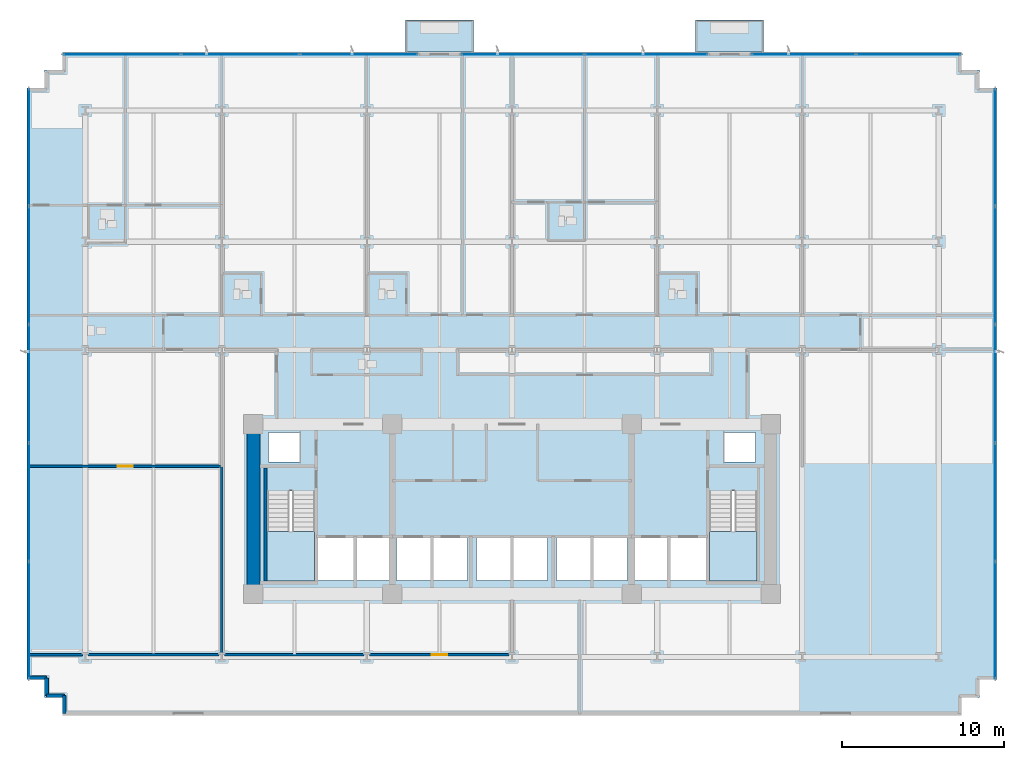
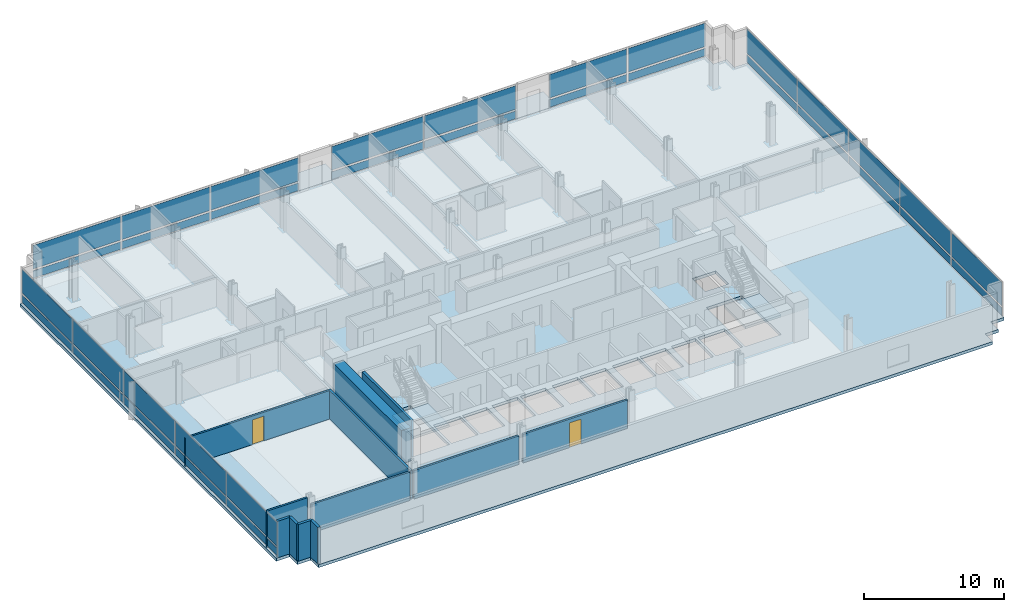
# One storey, part 7 of 16: 34 plates, 12 walls, 5 slabs, 2 doors, 2 openings, 7 elements without a shape of their own.
"""IFC4 building model written with IfcOpenShell, lengths in metres."""

from ifc_helpers import new_model, si_unit, direction, frame, frame_2d, origin, origin_2d, place, context, subcontext, project, spatial, polyline, rectangle, outline, extrude, material, layer, layer_set, type_object, element, fill, aggregate, save


model = new_model("IFC4")

# Units and contexts
model_context = context("Model", 3, precision=1e-05, world=origin(), true_north=direction((0.0, 1.0)))
body_context = subcontext(model_context, "Body", "Model", "MODEL_VIEW")
ifc_project = project(units=[si_unit("LENGTHUNIT", "METRE"), si_unit("AREAUNIT", "SQUARE_METRE"), si_unit("VOLUMEUNIT", "CUBIC_METRE"), si_unit("PLANEANGLEUNIT", "RADIAN"), si_unit("MASSUNIT", "GRAM", prefix="KILO")], contexts=[model_context])

# Site, building, storey
site_placement = place(None, origin())
site = spatial("IfcSite", under=ifc_project, at=site_placement, CompositionType="ELEMENT")
building_placement = place(site_placement, origin())
building = spatial("IfcBuilding", under=site, at=building_placement, Name="Solmavex Isthmus Hotel", CompositionType="ELEMENT")
storey_placement = place(building_placement, frame((0.0, 0.0, 29.85009765625)))
storey = spatial("IfcBuildingStorey", under=building, at=storey_placement, Name="L07", CompositionType="ELEMENT", Elevation=29.85009765625)

# Curtain wall, plates
ifc_material_1 = material(Name="Aluminium alloy 6063-T6", Category="aluminium")
curtain_wall_type = type_object("IfcCurtainWallType", Name="CW-SYS-02", PredefinedType="NOTDEFINED", material=ifc_material_1)
curtain_wall_1_placement = place(storey_placement, origin())
curtain_wall_1 = element("IfcCurtainWall", 1, at=curtain_wall_1_placement, inside=storey, type_object=curtain_wall_type, Name="Stick Curtain Wall CWL-L07-N1", PredefinedType="NOTDEFINED")
ifc_material_2 = material(Name="Clear low-E laminated glass", Category="glass")
ifc_layer_1 = layer(ifc_material_2, 0.031982421875)
ifc_layer_set_1 = layer_set([ifc_layer_1], Name="Clear low-E laminated glass")
plate_type = type_object("IfcPlateType", Name="CW-SYS-02-PNL", PredefinedType="CURTAIN_PANEL", material=ifc_layer_set_1)
plate_1_placement = place(storey_placement, frame((-24.112548828125, 20.3798828125, 0.16015625), z_axis=(0.0, 0.0, 1.0), x_axis=(1.0, 0.0, 0.0)))
plate_1 = element("IfcPlate", 2, at=plate_1_placement, type_object=plate_type, Name="CW-02 panel 1.1", PredefinedType="CURTAIN_PANEL", context=body_context, shape_type="SweptSolid", body=[
    extrude(rectangle(XDim=7.224853515625, YDim=0.031982421875, at=origin_2d()), origin(), (0.0, 0.0, 1.0), 0.659912109375),
])
plate_2_placement = place(storey_placement, frame((-24.112548828125, 20.3798828125, 0.97998046875), z_axis=(0.0, 0.0, 1.0), x_axis=(1.0, 0.0, 0.0)))
plate_2 = element("IfcPlate", 3, at=plate_2_placement, type_object=plate_type, Name="CW-02 panel 1.2", PredefinedType="CURTAIN_PANEL", context=body_context, shape_type="SweptSolid", body=[
    extrude(rectangle(XDim=7.224853515625, YDim=0.031982421875, at=origin_2d()), origin(), (0.0, 0.0, 1.0), 2.050048828125),
])
plate_3_placement = place(storey_placement, frame((-16.7939453125, 20.3798828125, 0.16015625), z_axis=(0.0, 0.0, 1.0), x_axis=(1.0, 0.0, 0.0)))
plate_3 = element("IfcPlate", 4, at=plate_3_placement, type_object=plate_type, Name="CW-02 panel 2.1", PredefinedType="CURTAIN_PANEL", context=body_context, shape_type="SweptSolid", body=[
    extrude(rectangle(XDim=7.262451171875, YDim=0.031982421875, at=origin_2d()), origin(), (0.0, 0.0, 1.0), 0.659912109375),
])
plate_4_placement = place(storey_placement, frame((-16.7939453125, 20.3798828125, 0.97998046875), z_axis=(0.0, 0.0, 1.0), x_axis=(1.0, 0.0, 0.0)))
plate_4 = element("IfcPlate", 5, at=plate_4_placement, type_object=plate_type, Name="CW-02 panel 2.2", PredefinedType="CURTAIN_PANEL", context=body_context, shape_type="SweptSolid", body=[
    extrude(rectangle(XDim=7.262451171875, YDim=0.031982421875, at=origin_2d()), origin(), (0.0, 0.0, 1.0), 2.050048828125),
])
plate_5_placement = place(storey_placement, frame((-9.475341796875, 20.3798828125, 0.16015625), z_axis=(0.0, 0.0, 1.0), x_axis=(1.0, 0.0, 0.0)))
plate_5 = element("IfcPlate", 6, at=plate_5_placement, type_object=plate_type, Name="CW-02 panel 3.1", PredefinedType="CURTAIN_PANEL", context=body_context, shape_type="SweptSolid", body=[
    extrude(rectangle(XDim=7.224853515625, YDim=0.031982421875, at=origin_2d()), origin(), (0.0, 0.0, 1.0), 0.659912109375),
])
plate_6_placement = place(storey_placement, frame((-9.475341796875, 20.3798828125, 0.97998046875), z_axis=(0.0, 0.0, 1.0), x_axis=(1.0, 0.0, 0.0)))
plate_6 = element("IfcPlate", 7, at=plate_6_placement, type_object=plate_type, Name="CW-02 panel 3.2", PredefinedType="CURTAIN_PANEL", context=body_context, shape_type="SweptSolid", body=[
    extrude(rectangle(XDim=7.224853515625, YDim=0.031982421875, at=origin_2d()), origin(), (0.0, 0.0, 1.0), 2.050048828125),
])
aggregate(curtain_wall_1, [plate_1, plate_2, plate_3, plate_4, plate_5, plate_6])

curtain_wall_2_placement = place(storey_placement, origin())
curtain_wall_2 = element("IfcCurtainWall", 8, at=curtain_wall_2_placement, inside=storey, type_object=curtain_wall_type, Name="Stick Curtain Wall CWL-L07-N2", PredefinedType="NOTDEFINED")
plate_7_placement = place(storey_placement, frame((0.668701171875, 20.3798828125, 0.16015625), z_axis=(0.0, 0.0, 1.0), x_axis=(1.0, 0.0, 0.0)))
plate_7 = element("IfcPlate", 9, at=plate_7_placement, type_object=plate_type, Name="CW-02 panel 1.1", PredefinedType="CURTAIN_PANEL", context=body_context, shape_type="SweptSolid", body=[
    extrude(rectangle(XDim=7.5634765625, YDim=0.031982421875, at=origin_2d()), origin(), (0.0, 0.0, 1.0), 0.659912109375),
])
plate_8_placement = place(storey_placement, frame((0.668701171875, 20.3798828125, 0.97998046875), z_axis=(0.0, 0.0, 1.0), x_axis=(1.0, 0.0, 0.0)))
plate_8 = element("IfcPlate", 10, at=plate_8_placement, type_object=plate_type, Name="CW-02 panel 1.2", PredefinedType="CURTAIN_PANEL", context=body_context, shape_type="SweptSolid", body=[
    extrude(rectangle(XDim=7.5634765625, YDim=0.031982421875, at=origin_2d()), origin(), (0.0, 0.0, 1.0), 2.050048828125),
])
plate_9_placement = place(storey_placement, frame((8.30712890625, 20.3798828125, 0.16015625), z_axis=(0.0, 0.0, 1.0), x_axis=(1.0, 0.0, 0.0)))
plate_9 = element("IfcPlate", 11, at=plate_9_placement, type_object=plate_type, Name="CW-02 panel 2.1", PredefinedType="CURTAIN_PANEL", context=body_context, shape_type="SweptSolid", body=[
    extrude(rectangle(XDim=7.5634765625, YDim=0.031982421875, at=origin_2d()), origin(), (0.0, 0.0, 1.0), 0.659912109375),
])
plate_10_placement = place(storey_placement, frame((8.30712890625, 20.3798828125, 0.97998046875), z_axis=(0.0, 0.0, 1.0), x_axis=(1.0, 0.0, 0.0)))
plate_10 = element("IfcPlate", 12, at=plate_10_placement, type_object=plate_type, Name="CW-02 panel 2.2", PredefinedType="CURTAIN_PANEL", context=body_context, shape_type="SweptSolid", body=[
    extrude(rectangle(XDim=7.5634765625, YDim=0.031982421875, at=origin_2d()), origin(), (0.0, 0.0, 1.0), 2.050048828125),
])
aggregate(curtain_wall_2, [plate_7, plate_8, plate_9, plate_10])

curtain_wall_3_placement = place(storey_placement, origin())
curtain_wall_3 = element("IfcCurtainWall", 13, at=curtain_wall_3_placement, inside=storey, type_object=curtain_wall_type, Name="Stick Curtain Wall CWL-L07-N3", PredefinedType="NOTDEFINED")
plate_11_placement = place(storey_placement, frame((18.041748046875, 20.3798828125, 0.16015625), z_axis=(0.0, 0.0, 1.0), x_axis=(1.0, 0.0, 0.0)))
plate_11 = element("IfcPlate", 14, at=plate_11_placement, type_object=plate_type, Name="CW-02 panel 1.1", PredefinedType="CURTAIN_PANEL", context=body_context, shape_type="SweptSolid", body=[
    extrude(rectangle(XDim=6.405517578125, YDim=0.031982421875, at=origin_2d()), origin(), (0.0, 0.0, 1.0), 0.659912109375),
])
plate_12_placement = place(storey_placement, frame((18.041748046875, 20.3798828125, 0.97998046875), z_axis=(0.0, 0.0, 1.0), x_axis=(1.0, 0.0, 0.0)))
plate_12 = element("IfcPlate", 15, at=plate_12_placement, type_object=plate_type, Name="CW-02 panel 1.2", PredefinedType="CURTAIN_PANEL", context=body_context, shape_type="SweptSolid", body=[
    extrude(rectangle(XDim=6.405517578125, YDim=0.031982421875, at=origin_2d()), origin(), (0.0, 0.0, 1.0), 2.050048828125),
])
plate_13_placement = place(storey_placement, frame((24.522216796875, 20.3798828125, 0.16015625), z_axis=(0.0, 0.0, 1.0), x_axis=(1.0, 0.0, 0.0)))
plate_13 = element("IfcPlate", 16, at=plate_13_placement, type_object=plate_type, Name="CW-02 panel 2.1", PredefinedType="CURTAIN_PANEL", context=body_context, shape_type="SweptSolid", body=[
    extrude(rectangle(XDim=6.405517578125, YDim=0.031982421875, at=origin_2d()), origin(), (0.0, 0.0, 1.0), 0.659912109375),
])
plate_14_placement = place(storey_placement, frame((24.522216796875, 20.3798828125, 0.97998046875), z_axis=(0.0, 0.0, 1.0), x_axis=(1.0, 0.0, 0.0)))
plate_14 = element("IfcPlate", 17, at=plate_14_placement, type_object=plate_type, Name="CW-02 panel 2.2", PredefinedType="CURTAIN_PANEL", context=body_context, shape_type="SweptSolid", body=[
    extrude(rectangle(XDim=6.405517578125, YDim=0.031982421875, at=origin_2d()), origin(), (0.0, 0.0, 1.0), 2.050048828125),
])
aggregate(curtain_wall_3, [plate_11, plate_12, plate_13, plate_14])

curtain_wall_4_placement = place(storey_placement, origin())
curtain_wall_4 = element("IfcCurtainWall", 18, at=curtain_wall_4_placement, inside=storey, type_object=curtain_wall_type, Name="Stick Curtain Wall CWL-L07-W1", PredefinedType="NOTDEFINED")
plate_15_placement = place(storey_placement, frame((-29.8798828125, -14.621337890625, 0.16015625), z_axis=(0.0, 0.0, 1.0), x_axis=(0.0, 1.0, 0.0)))
plate_15 = element("IfcPlate", 19, at=plate_15_placement, type_object=plate_type, Name="CW-02 panel 1.1", PredefinedType="CURTAIN_PANEL", context=body_context, shape_type="SweptSolid", body=[
    extrude(rectangle(XDim=7.20751953125, YDim=0.031982421875, at=origin_2d()), origin(), (0.0, 0.0, 1.0), 0.659912109375),
])
plate_16_placement = place(storey_placement, frame((-29.8798828125, -14.621337890625, 0.97998046875), z_axis=(0.0, 0.0, 1.0), x_axis=(0.0, 1.0, 0.0)))
plate_16 = element("IfcPlate", 20, at=plate_16_placement, type_object=plate_type, Name="CW-02 panel 1.2", PredefinedType="CURTAIN_PANEL", context=body_context, shape_type="SweptSolid", body=[
    extrude(rectangle(XDim=7.20751953125, YDim=0.031982421875, at=origin_2d()), origin(), (0.0, 0.0, 1.0), 2.050048828125),
])
plate_17_placement = place(storey_placement, frame((-29.8798828125, -7.320068359375, 0.16015625), z_axis=(0.0, 0.0, 1.0), x_axis=(0.0, 1.0, 0.0)))
plate_17 = element("IfcPlate", 21, at=plate_17_placement, type_object=plate_type, Name="CW-02 panel 2.1", PredefinedType="CURTAIN_PANEL", context=body_context, shape_type="SweptSolid", body=[
    extrude(rectangle(XDim=7.2451171875, YDim=0.031982421875, at=origin_2d()), origin(), (0.0, 0.0, 1.0), 0.659912109375),
])
plate_18_placement = place(storey_placement, frame((-29.8798828125, -7.320068359375, 0.97998046875), z_axis=(0.0, 0.0, 1.0), x_axis=(0.0, 1.0, 0.0)))
plate_18 = element("IfcPlate", 22, at=plate_18_placement, type_object=plate_type, Name="CW-02 panel 2.2", PredefinedType="CURTAIN_PANEL", context=body_context, shape_type="SweptSolid", body=[
    extrude(rectangle(XDim=7.2451171875, YDim=0.031982421875, at=origin_2d()), origin(), (0.0, 0.0, 1.0), 2.050048828125),
])
plate_19_placement = place(storey_placement, frame((-29.8798828125, 0.0, 0.16015625), z_axis=(0.0, 0.0, 1.0), x_axis=(0.0, 1.0, 0.0)))
plate_19 = element("IfcPlate", 23, at=plate_19_placement, type_object=plate_type, Name="CW-02 panel 3.1", PredefinedType="CURTAIN_PANEL", context=body_context, shape_type="SweptSolid", body=[
    extrude(rectangle(XDim=7.2451171875, YDim=0.031982421875, at=origin_2d()), origin(), (0.0, 0.0, 1.0), 0.659912109375),
])
plate_20_placement = place(storey_placement, frame((-29.8798828125, 0.0, 0.97998046875), z_axis=(0.0, 0.0, 1.0), x_axis=(0.0, 1.0, 0.0)))
plate_20 = element("IfcPlate", 24, at=plate_20_placement, type_object=plate_type, Name="CW-02 panel 3.2", PredefinedType="CURTAIN_PANEL", context=body_context, shape_type="SweptSolid", body=[
    extrude(rectangle(XDim=7.2451171875, YDim=0.031982421875, at=origin_2d()), origin(), (0.0, 0.0, 1.0), 2.050048828125),
])
plate_21_placement = place(storey_placement, frame((-29.8798828125, 7.320068359375, 0.16015625), z_axis=(0.0, 0.0, 1.0), x_axis=(0.0, 1.0, 0.0)))
plate_21 = element("IfcPlate", 25, at=plate_21_placement, type_object=plate_type, Name="CW-02 panel 4.1", PredefinedType="CURTAIN_PANEL", context=body_context, shape_type="SweptSolid", body=[
    extrude(rectangle(XDim=7.2451171875, YDim=0.031982421875, at=origin_2d()), origin(), (0.0, 0.0, 1.0), 0.659912109375),
])
plate_22_placement = place(storey_placement, frame((-29.8798828125, 7.320068359375, 0.97998046875), z_axis=(0.0, 0.0, 1.0), x_axis=(0.0, 1.0, 0.0)))
plate_22 = element("IfcPlate", 26, at=plate_22_placement, type_object=plate_type, Name="CW-02 panel 4.2", PredefinedType="CURTAIN_PANEL", context=body_context, shape_type="SweptSolid", body=[
    extrude(rectangle(XDim=7.2451171875, YDim=0.031982421875, at=origin_2d()), origin(), (0.0, 0.0, 1.0), 2.050048828125),
])
plate_23_placement = place(storey_placement, frame((-29.8798828125, 14.621337890625, 0.16015625), z_axis=(0.0, 0.0, 1.0), x_axis=(0.0, 1.0, 0.0)))
plate_23 = element("IfcPlate", 27, at=plate_23_placement, type_object=plate_type, Name="CW-02 panel 5.1", PredefinedType="CURTAIN_PANEL", context=body_context, shape_type="SweptSolid", body=[
    extrude(rectangle(XDim=7.20751953125, YDim=0.031982421875, at=origin_2d()), origin(), (0.0, 0.0, 1.0), 0.659912109375),
])
plate_24_placement = place(storey_placement, frame((-29.8798828125, 14.621337890625, 0.97998046875), z_axis=(0.0, 0.0, 1.0), x_axis=(0.0, 1.0, 0.0)))
plate_24 = element("IfcPlate", 28, at=plate_24_placement, type_object=plate_type, Name="CW-02 panel 5.2", PredefinedType="CURTAIN_PANEL", context=body_context, shape_type="SweptSolid", body=[
    extrude(rectangle(XDim=7.20751953125, YDim=0.031982421875, at=origin_2d()), origin(), (0.0, 0.0, 1.0), 2.050048828125),
])
aggregate(curtain_wall_4, [plate_15, plate_16, plate_17, plate_18, plate_19, plate_20, plate_21, plate_22, plate_23, plate_24])

curtain_wall_5_placement = place(storey_placement, origin())
curtain_wall_5 = element("IfcCurtainWall", 29, at=curtain_wall_5_placement, inside=storey, type_object=curtain_wall_type, Name="Stick Curtain Wall CWL-L07-E1", PredefinedType="NOTDEFINED")
plate_25_placement = place(storey_placement, frame((29.8798828125, -14.621337890625, 0.16015625), z_axis=(0.0, 0.0, 1.0), x_axis=(0.0, 1.0, 0.0)))
plate_25 = element("IfcPlate", 30, at=plate_25_placement, type_object=plate_type, Name="CW-02 panel 1.1", PredefinedType="CURTAIN_PANEL", context=body_context, shape_type="SweptSolid", body=[
    extrude(rectangle(XDim=7.20751953125, YDim=0.031982421875, at=origin_2d()), origin(), (0.0, 0.0, 1.0), 0.659912109375),
])
plate_26_placement = place(storey_placement, frame((29.8798828125, -14.621337890625, 0.97998046875), z_axis=(0.0, 0.0, 1.0), x_axis=(0.0, 1.0, 0.0)))
plate_26 = element("IfcPlate", 31, at=plate_26_placement, type_object=plate_type, Name="CW-02 panel 1.2", PredefinedType="CURTAIN_PANEL", context=body_context, shape_type="SweptSolid", body=[
    extrude(rectangle(XDim=7.20751953125, YDim=0.031982421875, at=origin_2d()), origin(), (0.0, 0.0, 1.0), 2.050048828125),
])
plate_27_placement = place(storey_placement, frame((29.8798828125, -7.320068359375, 0.16015625), z_axis=(0.0, 0.0, 1.0), x_axis=(0.0, 1.0, 0.0)))
plate_27 = element("IfcPlate", 32, at=plate_27_placement, type_object=plate_type, Name="CW-02 panel 2.1", PredefinedType="CURTAIN_PANEL", context=body_context, shape_type="SweptSolid", body=[
    extrude(rectangle(XDim=7.2451171875, YDim=0.031982421875, at=origin_2d()), origin(), (0.0, 0.0, 1.0), 0.659912109375),
])
plate_28_placement = place(storey_placement, frame((29.8798828125, -7.320068359375, 0.97998046875), z_axis=(0.0, 0.0, 1.0), x_axis=(0.0, 1.0, 0.0)))
plate_28 = element("IfcPlate", 33, at=plate_28_placement, type_object=plate_type, Name="CW-02 panel 2.2", PredefinedType="CURTAIN_PANEL", context=body_context, shape_type="SweptSolid", body=[
    extrude(rectangle(XDim=7.2451171875, YDim=0.031982421875, at=origin_2d()), origin(), (0.0, 0.0, 1.0), 2.050048828125),
])
plate_29_placement = place(storey_placement, frame((29.8798828125, 0.0, 0.16015625), z_axis=(0.0, 0.0, 1.0), x_axis=(0.0, 1.0, 0.0)))
plate_29 = element("IfcPlate", 34, at=plate_29_placement, type_object=plate_type, Name="CW-02 panel 3.1", PredefinedType="CURTAIN_PANEL", context=body_context, shape_type="SweptSolid", body=[
    extrude(rectangle(XDim=7.2451171875, YDim=0.031982421875, at=origin_2d()), origin(), (0.0, 0.0, 1.0), 0.659912109375),
])
plate_30_placement = place(storey_placement, frame((29.8798828125, 0.0, 0.97998046875), z_axis=(0.0, 0.0, 1.0), x_axis=(0.0, 1.0, 0.0)))
plate_30 = element("IfcPlate", 35, at=plate_30_placement, type_object=plate_type, Name="CW-02 panel 3.2", PredefinedType="CURTAIN_PANEL", context=body_context, shape_type="SweptSolid", body=[
    extrude(rectangle(XDim=7.2451171875, YDim=0.031982421875, at=origin_2d()), origin(), (0.0, 0.0, 1.0), 2.050048828125),
])
plate_31_placement = place(storey_placement, frame((29.8798828125, 7.320068359375, 0.16015625), z_axis=(0.0, 0.0, 1.0), x_axis=(0.0, 1.0, 0.0)))
plate_31 = element("IfcPlate", 36, at=plate_31_placement, type_object=plate_type, Name="CW-02 panel 4.1", PredefinedType="CURTAIN_PANEL", context=body_context, shape_type="SweptSolid", body=[
    extrude(rectangle(XDim=7.2451171875, YDim=0.031982421875, at=origin_2d()), origin(), (0.0, 0.0, 1.0), 0.659912109375),
])
plate_32_placement = place(storey_placement, frame((29.8798828125, 7.320068359375, 0.97998046875), z_axis=(0.0, 0.0, 1.0), x_axis=(0.0, 1.0, 0.0)))
plate_32 = element("IfcPlate", 37, at=plate_32_placement, type_object=plate_type, Name="CW-02 panel 4.2", PredefinedType="CURTAIN_PANEL", context=body_context, shape_type="SweptSolid", body=[
    extrude(rectangle(XDim=7.2451171875, YDim=0.031982421875, at=origin_2d()), origin(), (0.0, 0.0, 1.0), 2.050048828125),
])
plate_33_placement = place(storey_placement, frame((29.8798828125, 14.621337890625, 0.16015625), z_axis=(0.0, 0.0, 1.0), x_axis=(0.0, 1.0, 0.0)))
plate_33 = element("IfcPlate", 38, at=plate_33_placement, type_object=plate_type, Name="CW-02 panel 5.1", PredefinedType="CURTAIN_PANEL", context=body_context, shape_type="SweptSolid", body=[
    extrude(rectangle(XDim=7.20751953125, YDim=0.031982421875, at=origin_2d()), origin(), (0.0, 0.0, 1.0), 0.659912109375),
])
plate_34_placement = place(storey_placement, frame((29.8798828125, 14.621337890625, 0.97998046875), z_axis=(0.0, 0.0, 1.0), x_axis=(0.0, 1.0, 0.0)))
plate_34 = element("IfcPlate", 39, at=plate_34_placement, type_object=plate_type, Name="CW-02 panel 5.2", PredefinedType="CURTAIN_PANEL", context=body_context, shape_type="SweptSolid", body=[
    extrude(rectangle(XDim=7.20751953125, YDim=0.031982421875, at=origin_2d()), origin(), (0.0, 0.0, 1.0), 2.050048828125),
])
aggregate(curtain_wall_5, [plate_25, plate_26, plate_27, plate_28, plate_29, plate_30, plate_31, plate_32, plate_33, plate_34])

# Slabs
ifc_material_3 = material(Name="Concrete C40/50", Category="concrete")
ifc_layer_2 = layer(ifc_material_3, 0.239990234375)
ifc_layer_set_2 = layer_set([ifc_layer_2], Name="Concrete C40/50")
slab_type_1 = type_object("IfcSlabType", Name="SLAB-BALC-240", PredefinedType="FLOOR", material=ifc_layer_set_2)
slab_1_placement = place(storey_placement, frame((0.0, 0.0, -0.239990234375)))
element("IfcSlab", 40, at=slab_1_placement, inside=storey, type_object=slab_type_1, Name="Tree-Planter Balcony Slab L07-B1", PredefinedType="FLOOR", context=body_context, shape_type="SweptSolid", body=[
    extrude(outline(polyline([(-6.587890625, 20.514892578125), (-2.387939453125, 20.514892578125), (-2.387939453125, 22.5), (-6.587890625, 22.5), (-6.587890625, 20.514892578125)])), origin(), (0.0, 0.0, 1.0), 0.239990234375),
])
slab_2_placement = place(storey_placement, frame((0.0, 0.0, -0.239990234375)))
element("IfcSlab", 41, at=slab_2_placement, inside=storey, type_object=slab_type_1, Name="Tree-Planter Balcony Slab L07-B2", PredefinedType="FLOOR", context=body_context, shape_type="SweptSolid", body=[
    extrude(outline(polyline([(11.364013671875, 20.514892578125), (15.56396484375, 20.514892578125), (15.56396484375, 22.5), (11.364013671875, 22.5), (11.364013671875, 20.514892578125)])), origin(), (0.0, 0.0, 1.0), 0.239990234375),
])
ifc_layer_3 = layer(ifc_material_3, 0.260009765625)
ifc_layer_set_3 = layer_set([ifc_layer_3], Name="Concrete C40/50")
slab_type_2 = type_object("IfcSlabType", Name="SLAB-TYP-260", PredefinedType="FLOOR", material=ifc_layer_set_3)
slab_3_placement = place(storey_placement, frame((0.0, 0.0, -0.260009765625)))
element("IfcSlab", 42, at=slab_3_placement, inside=storey, type_object=slab_type_2, Name="Tower Structural Floor Slab L07", PredefinedType="FLOOR", context=body_context, shape_type="SweptSolid", body=[
    extrude(outline(polyline([(-26.699951171875, -20.5), (26.699951171875, -20.5), (27.800048828125, -20.5), (27.800048828125, -19.39990234375), (28.89990234375, -19.39990234375), (28.89990234375, -18.300048828125), (30.0, -18.300048828125), (30.0, -17.199951171875), (30.0, 17.199951171875), (30.0, 18.300048828125), (28.89990234375, 18.300048828125), (28.89990234375, 19.39990234375), (27.800048828125, 19.39990234375), (27.800048828125, 20.5), (26.699951171875, 20.5), (-26.699951171875, 20.5), (-27.800048828125, 20.5), (-27.800048828125, 19.39990234375), (-28.89990234375, 19.39990234375), (-28.89990234375, 18.300048828125), (-30.0, 18.300048828125), (-30.0, 17.199951171875), (-30.0, -17.199951171875), (-30.0, -18.300048828125), (-28.89990234375, -18.300048828125), (-28.89990234375, -19.39990234375), (-27.800048828125, -19.39990234375), (-27.800048828125, -20.5), (-26.699951171875, -20.5)]), holes=[polyline([(-15.14990234375, -6.617919921875), (-15.14990234375, -12.199951171875), (-12.199951171875, -12.199951171875), (-12.199951171875, -6.617919921875), (-15.14990234375, -6.617919921875)]), polyline([(12.199951171875, -6.617919921875), (12.199951171875, -12.199951171875), (15.14990234375, -12.199951171875), (15.14990234375, -6.617919921875), (12.199951171875, -6.617919921875)]), polyline([(-12.0, -12.14990234375), (-9.800048828125, -12.14990234375), (-9.800048828125, -9.550048828125), (-12.0, -9.550048828125), (-12.0, -12.14990234375)]), polyline([(9.800048828125, -12.14990234375), (12.0, -12.14990234375), (12.0, -9.550048828125), (9.800048828125, -9.550048828125), (9.800048828125, -12.14990234375)]), polyline([(-9.60009765625, -12.14990234375), (-7.60009765625, -12.14990234375), (-7.60009765625, -9.550048828125), (-9.60009765625, -9.550048828125), (-9.60009765625, -12.14990234375)]), polyline([(7.60009765625, -12.14990234375), (9.60009765625, -12.14990234375), (9.60009765625, -9.550048828125), (7.60009765625, -9.550048828125), (7.60009765625, -12.14990234375)]), polyline([(-7.14990234375, -12.14990234375), (-5.050048828125, -12.14990234375), (-5.050048828125, -9.550048828125), (-7.14990234375, -9.550048828125), (-7.14990234375, -12.14990234375)]), polyline([(-4.85009765625, -12.14990234375), (-2.75, -12.14990234375), (-2.75, -9.550048828125), (-4.85009765625, -9.550048828125), (-4.85009765625, -12.14990234375)]), polyline([(-2.199951171875, -12.14990234375), (-0.10009765625, -12.14990234375), (-0.10009765625, -9.550048828125), (-2.199951171875, -9.550048828125), (-2.199951171875, -12.14990234375)]), polyline([(0.10009765625, -12.14990234375), (2.199951171875, -12.14990234375), (2.199951171875, -9.550048828125), (0.10009765625, -9.550048828125), (0.10009765625, -12.14990234375)]), polyline([(2.75, -12.14990234375), (4.85009765625, -12.14990234375), (4.85009765625, -9.550048828125), (2.75, -9.550048828125), (2.75, -12.14990234375)]), polyline([(5.050048828125, -12.14990234375), (7.14990234375, -12.14990234375), (7.14990234375, -9.550048828125), (5.050048828125, -9.550048828125), (5.050048828125, -12.14990234375)]), polyline([(-15.050048828125, -4.85009765625), (-13.14990234375, -4.85009765625), (-13.14990234375, -3.0), (-15.050048828125, -3.0), (-15.050048828125, -4.85009765625)]), polyline([(13.14990234375, -4.85009765625), (15.050048828125, -4.85009765625), (15.050048828125, -3.0), (13.14990234375, -3.0), (13.14990234375, -4.85009765625)])]), origin(), (0.0, 0.0, 1.0), 0.260009765625),
])

# Stair, slab
stair_type_1 = type_object("IfcStairType", Name="STR-ST-1", PredefinedType="HALF_TURN_STAIR", material=ifc_material_3)
stair_1_placement = place(storey_placement, origin())
stair_1 = element("IfcStair", 43, at=stair_1_placement, inside=storey, type_object=stair_type_1, Name="L07 Protected Exit Stair ST-1", PredefinedType="HALF_TURN_STAIR")
ifc_layer_4 = layer(ifc_material_3, 0.219970703125)
ifc_layer_set_4 = layer_set([ifc_layer_4], Name="Concrete C40/50")
slab_type_3 = type_object("IfcSlabType", Name="SLD-ST-1", PredefinedType="LANDING", material=ifc_layer_set_4)
slab_4_placement = place(storey_placement, frame((0.0, 0.0, 1.52490234375)))
slab_4 = element("IfcSlab", 44, at=slab_4_placement, type_object=slab_type_3, Name="ST-1 landing 1", PredefinedType="LANDING", context=body_context, shape_type="SweptSolid", body=[
    extrude(outline(polyline([(-15.14990234375, -9.1201171875), (-15.14990234375, -12.199951171875), (-12.199951171875, -12.199951171875), (-12.199951171875, -9.1201171875), (-15.14990234375, -9.1201171875)])), origin(), (0.0, 0.0, 1.0), 0.199951171875),
])
aggregate(stair_1, [slab_4])

stair_type_2 = type_object("IfcStairType", Name="STR-ST-2", PredefinedType="HALF_TURN_STAIR", material=ifc_material_3)
stair_2_placement = place(storey_placement, origin())
stair_2 = element("IfcStair", 45, at=stair_2_placement, inside=storey, type_object=stair_type_2, Name="L07 Protected Exit Stair ST-2", PredefinedType="HALF_TURN_STAIR")
ifc_layer_5 = layer(ifc_material_3, 0.219970703125)
ifc_layer_set_5 = layer_set([ifc_layer_5], Name="Concrete C40/50")
slab_type_4 = type_object("IfcSlabType", Name="SLD-ST-2", PredefinedType="LANDING", material=ifc_layer_set_5)
slab_5_placement = place(storey_placement, frame((0.0, 0.0, 1.52490234375)))
slab_5 = element("IfcSlab", 46, at=slab_5_placement, type_object=slab_type_4, Name="ST-2 landing 1", PredefinedType="LANDING", context=body_context, shape_type="SweptSolid", body=[
    extrude(outline(polyline([(12.199951171875, -9.1201171875), (12.199951171875, -12.199951171875), (15.14990234375, -12.199951171875), (15.14990234375, -9.1201171875), (12.199951171875, -9.1201171875)])), origin(), (0.0, 0.0, 1.0), 0.199951171875),
])
aggregate(stair_2, [slab_5])

# Walls
ifc_material_4 = material(Name="Precast Concrete C40/50", Category="concrete")
ifc_layer_6 = layer(ifc_material_4, 0.25)
ifc_layer_set_6 = layer_set([ifc_layer_6], Name="Precast Concrete C40/50")
wall_type_1 = type_object("IfcWallType", Name="EW-TWR-250", PredefinedType="STANDARD", material=ifc_layer_set_6)
wall_1_placement = place(storey_placement, frame((-27.68994140625, -20.389892578125, 0.0), z_axis=(0.0, 0.0, 1.0), x_axis=(0.0, 1.0, 0.0)))
element("IfcWall", 47, at=wall_1_placement, inside=storey, type_object=wall_type_1, Name="Serrated Corner Facade Panel L07-01", PredefinedType="STANDARD", context=body_context, shape_type="SweptSolid", body=[
    extrude(rectangle(XDim=1.099853515625, YDim=0.219970703125, at=frame_2d((0.5498046875, 0.0))), origin(), (0.0, 0.0, 1.0), 3.18994140625),
])
for number, where, z_axis, x_axis, name in (
    (48, (-27.68994140625, -19.2900390625, 0.0), (0.0, 0.0, 1.0), (-1.0, 0.0, 0.0), "Serrated Corner Facade Panel L07-02"),
    (49, (-28.7900390625, -19.2900390625, 0.0), (0.0, 0.0, 1.0), (0.0, 1.0, 0.0), "Serrated Corner Facade Panel L07-03"),
):
    element("IfcWall", number, at=place(storey_placement, frame(where, z_axis=z_axis, x_axis=x_axis)), inside=storey, type_object=wall_type_1, Name=name, PredefinedType="STANDARD", context=body_context, shape_type="SweptSolid", body=[
        extrude(rectangle(XDim=1.10009765625, YDim=0.219970703125, at=frame_2d((0.550048828125, 0.0))), origin(), (0.0, 0.0, 1.0), 3.18994140625),
    ])
wall_2_placement = place(storey_placement, frame((-28.7900390625, -18.18994140625, 0.0), z_axis=(0.0, 0.0, 1.0), x_axis=(-1.0, 0.0, 0.0)))
element("IfcWall", 50, at=wall_2_placement, inside=storey, type_object=wall_type_1, Name="Serrated Corner Facade Panel L07-04", PredefinedType="STANDARD", context=body_context, shape_type="SweptSolid", body=[
    extrude(rectangle(XDim=1.099853515625, YDim=0.219970703125, at=frame_2d((0.5498046875, 0.0))), origin(), (0.0, 0.0, 1.0), 3.18994140625),
])

# Wall, opening, door
ifc_material_5 = material(Name="Gypsum plasterboard lining", Category="gypsum")
ifc_layer_7 = layer(ifc_material_5, 0.159912109375)
ifc_layer_set_7 = layer_set([ifc_layer_7], Name="Gypsum plasterboard lining")
wall_type_2 = type_object("IfcWallType", Name="IW-COMP-160", PredefinedType="PARTITIONING", material=ifc_layer_set_7)
wall_3_placement = place(storey_placement, frame((-17.912109375, -5.10009765625, 0.0), z_axis=(0.0, 0.0, 1.0), x_axis=(-1.0, 0.0, 0.0)))
wall_3 = element("IfcWall", 51, at=wall_3_placement, inside=storey, type_object=wall_type_2, Name="Interior Partition Wall W-L07-P082", PredefinedType="PARTITIONING", context=body_context, shape_type="SweptSolid", body=[
    extrude(rectangle(XDim=12.0078125, YDim=0.159912109375, at=frame_2d((6.00390625, 0.0))), origin(), (0.0, 0.0, 1.0), 2.4794921875),
])
opening_1_placement = place(wall_3_placement, frame((5.529052734375, 0.0, 0.0)))
opening_1 = element("IfcOpeningElement", 52, at=opening_1_placement, cuts=wall_3, Name="Opening ID-C095", PredefinedType="OPENING", context=body_context, shape_type="SweptSolid", body=[
    extrude(rectangle(XDim=0.949951171875, YDim=2.14990234375, at=frame_2d((0.47509765625, 1.074951171875))), frame((0.0, 0.08984375, 0.0), z_axis=(0.0, -1.0, 0.0), x_axis=(1.0, 0.0, 0.0)), (0.0, 0.0, 1.0), 0.179931640625),
])
ifc_material_6 = material(Name="Hardwood timber", Category="wood")
door_type = type_object("IfcDoorType", Name="IDR-FD60-0950", OperationType="NOTDEFINED", PredefinedType="DOOR", material=ifc_material_6)
door_1_placement = place(opening_1_placement, origin())
door_1 = element("IfcDoor", 53, at=door_1_placement, inside=storey, type_object=door_type, Name="Corporate Briefing Office Door L07-26", OperationType="SINGLE_SWING_RIGHT", OverallHeight=2.14990234375, OverallWidth=0.949951171875, PredefinedType="DOOR", context=body_context, shape_type="SweptSolid", body=[
    extrude(rectangle(XDim=0.949951171875, YDim=2.14990234375, at=frame_2d((0.47509765625, 1.074951171875))), frame((0.0, 0.02490234375, 0.0), z_axis=(0.0, -1.0, 0.0), x_axis=(1.0, 0.0, 0.0)), (0.0, 0.0, 1.0), 0.050048828125),
])
fill(opening_1, door_1)

# Wall
wall_4_placement = place(storey_placement, frame((-9.15087890625, -16.75, 0.0), z_axis=(0.0, 0.0, 1.0), x_axis=(-1.0, 0.0, 0.0)))
element("IfcWall", 54, at=wall_4_placement, inside=storey, type_object=wall_type_2, Name="Interior Partition Wall W-L07-P084", PredefinedType="PARTITIONING", context=body_context, shape_type="SweptSolid", body=[
    extrude(rectangle(XDim=8.626220703125, YDim=0.159912109375, at=frame_2d((4.31298828125, 0.0))), origin(), (0.0, 0.0, 1.0), 2.4794921875),
])

# Wall, opening, door
wall_5_placement = place(storey_placement, frame((-0.175048828125, -16.75, 0.0), z_axis=(0.0, 0.0, 1.0), x_axis=(-1.0, 0.0, 0.0)))
wall_5 = element("IfcWall", 55, at=wall_5_placement, inside=storey, type_object=wall_type_2, Name="Interior Partition Wall W-L07-P085", PredefinedType="PARTITIONING", context=body_context, shape_type="SweptSolid", body=[
    extrude(rectangle(XDim=8.6259765625, YDim=0.159912109375, at=frame_2d((4.31298828125, 0.0))), origin(), (0.0, 0.0, 1.0), 2.4794921875),
])
opening_2_placement = place(wall_5_placement, frame((3.837890625, 0.0, 0.0)))
opening_2 = element("IfcOpeningElement", 56, at=opening_2_placement, cuts=wall_5, Name="Opening ID-C095", PredefinedType="OPENING", context=body_context, shape_type="SweptSolid", body=[
    extrude(rectangle(XDim=0.949951171875, YDim=2.14990234375, at=frame_2d((0.47509765625, 1.074951171875))), frame((0.0, 0.08984375, 0.0), z_axis=(0.0, -1.0, 0.0), x_axis=(1.0, 0.0, 0.0)), (0.0, 0.0, 1.0), 0.179931640625),
])
door_2_placement = place(opening_2_placement, origin())
door_2 = element("IfcDoor", 57, at=door_2_placement, inside=storey, type_object=door_type, Name="Corporate Briefing Office Door L07-25", OperationType="SINGLE_SWING_LEFT", OverallHeight=2.14990234375, OverallWidth=0.949951171875, PredefinedType="DOOR", context=body_context, shape_type="SweptSolid", body=[
    extrude(rectangle(XDim=0.949951171875, YDim=2.14990234375, at=frame_2d((0.47509765625, 1.074951171875))), frame((0.0, 0.02490234375, 0.0), z_axis=(0.0, -1.0, 0.0), x_axis=(1.0, 0.0, 0.0)), (0.0, 0.0, 1.0), 0.050048828125),
])
fill(opening_2, door_2)

# Walls
wall_6_placement = place(storey_placement, frame((-17.951904296875, -16.72509765625, 0.0), z_axis=(0.0, 0.0, 1.0), x_axis=(0.0, 1.0, 0.0)))
element("IfcWall", 58, at=wall_6_placement, inside=storey, type_object=wall_type_2, Name="Interior Partition Wall W-L07-P087", PredefinedType="PARTITIONING", context=body_context, shape_type="SweptSolid", body=[
    extrude(rectangle(XDim=11.70703125, YDim=0.159912109375, at=frame_2d((5.853515625, 0.0))), origin(), (0.0, 0.0, 1.0), 2.4794921875),
])
wall_7_placement = place(storey_placement, frame((-29.919921875, -16.75, 0.0), z_axis=(0.0, 0.0, 1.0), x_axis=(1.0, 0.0, 0.0)))
element("IfcWall", 59, at=wall_7_placement, inside=storey, type_object=wall_type_2, Name="Interior Partition Wall W-L07-P089", PredefinedType="PARTITIONING", context=body_context, shape_type="SweptSolid", body=[
    extrude(rectangle(XDim=3.344970703125, YDim=0.159912109375, at=frame_2d((1.67236328125, 0.0))), origin(), (0.0, 0.0, 1.0), 3.18994140625),
])
wall_8_placement = place(storey_placement, frame((-26.22509765625, -16.75, 0.0), z_axis=(0.0, 0.0, 1.0), x_axis=(1.0, 0.0, 0.0)))
element("IfcWall", 60, at=wall_8_placement, inside=storey, type_object=wall_type_2, Name="Interior Partition Wall W-L07-P090", PredefinedType="PARTITIONING", context=body_context, shape_type="SweptSolid", body=[
    extrude(rectangle(XDim=8.09814453125, YDim=0.159912109375, at=frame_2d((4.049072265625, 0.0))), origin(), (0.0, 0.0, 1.0), 2.4794921875),
])
ifc_material_7 = material(Name="Concrete C70/85", Category="concrete")
ifc_layer_8 = layer(ifc_material_7, 0.800048828125)
ifc_layer_set_8 = layer_set([ifc_layer_8], Name="Concrete C70/85")
wall_type_3 = type_object("IfcWallType", Name="WALL-CW-800", PredefinedType="SHEAR", material=ifc_layer_set_8)
wall_9_placement = place(storey_placement, frame((-16.0, -12.60009765625, 0.0), z_axis=(0.0, 0.0, 1.0), x_axis=(0.0, 1.0, 0.0)))
element("IfcWall", 61, at=wall_9_placement, inside=storey, type_object=wall_type_3, Name="Core Shear Wall West L07", PredefinedType="SHEAR", context=body_context, shape_type="SweptSolid", body=[
    extrude(rectangle(XDim=9.7001953125, YDim=0.800048828125, at=frame_2d((4.85009765625, 0.0))), origin(), (0.0, 0.0, 1.0), 2.909912109375),
])
ifc_layer_9 = layer(ifc_material_3, 0.199951171875)
ifc_layer_set_9 = layer_set([ifc_layer_9], Name="Concrete C40/50")
wall_type_4 = type_object("IfcWallType", Name="WALL-SW-200", PredefinedType="SOLIDWALL", material=ifc_layer_set_9)
wall_10_placement = place(storey_placement, frame((-15.25, -12.199951171875, 0.0), z_axis=(0.0, 0.0, 1.0), x_axis=(0.0, 1.0, 0.0)))
element("IfcWall", 62, at=wall_10_placement, inside=storey, type_object=wall_type_4, Name="Stairwell Structural Wall SW-L07-ST1-W", PredefinedType="SOLIDWALL", context=body_context, shape_type="SweptSolid", body=[
    extrude(rectangle(XDim=7.0, YDim=0.199951171875, at=frame_2d((3.5, 0.0))), origin(), (0.0, 0.0, 1.0), 3.18994140625),
])

save(model, "model.ifc")
